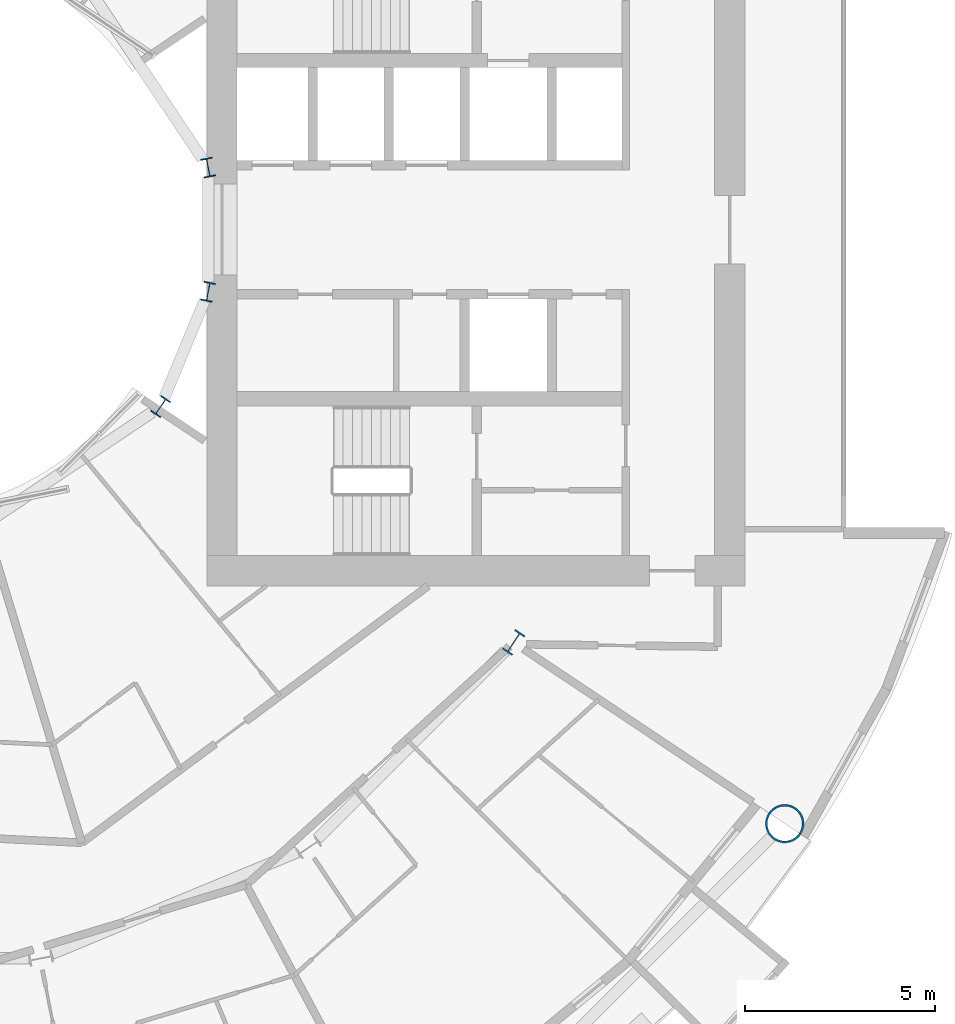
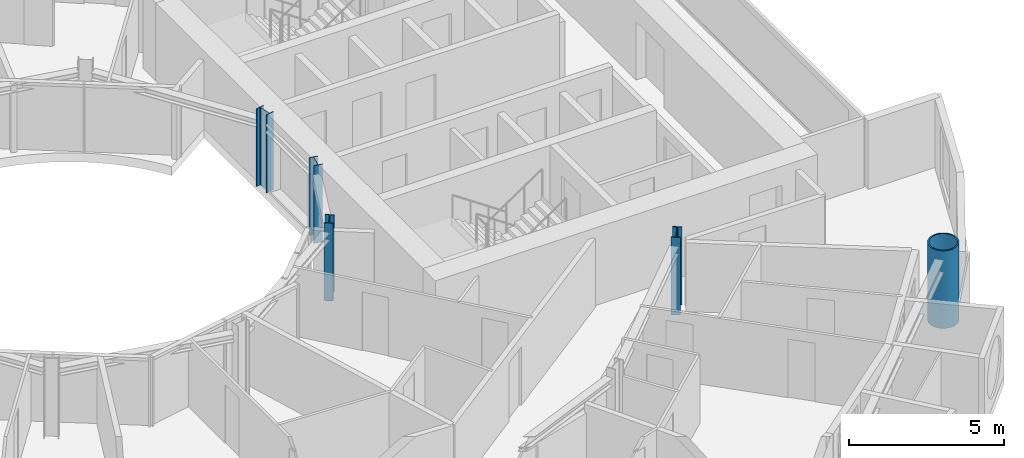
# One storey, part 2 of 26: 5 columns.
"""IFC4 building model written with IfcOpenShell, lengths in metres."""

from ifc_helpers import new_model, si_unit, direction, frame, origin, origin_2d, place, context, subcontext, project, spatial, hollow_circle, i_section, extrude, material, material_profile, profile_set, type_object, element, save


model = new_model("IFC4")

# Units and contexts
model_context = context("Model", 3, precision=1e-05, world=origin(), true_north=direction((0.0, 1.0)))
body_context = subcontext(model_context, "Body", "Model", "MODEL_VIEW")
ifc_project = project(units=[si_unit("LENGTHUNIT", "METRE"), si_unit("AREAUNIT", "SQUARE_METRE"), si_unit("VOLUMEUNIT", "CUBIC_METRE"), si_unit("PLANEANGLEUNIT", "RADIAN"), si_unit("MASSUNIT", "GRAM", prefix="KILO")], contexts=[model_context])

# Site, building, storey
site_placement = place(None, origin())
site = spatial("IfcSite", under=ifc_project, at=site_placement, CompositionType="ELEMENT")
building_placement = place(site_placement, origin())
building = spatial("IfcBuilding", under=site, at=building_placement, Name="Maasbend Ring Residences", CompositionType="ELEMENT")
storey_placement = place(building_placement, frame((0.0, 0.0, 44.14990234375)))
storey = spatial("IfcBuildingStorey", under=building, at=storey_placement, Name="L12", CompositionType="ELEMENT", Elevation=44.14990234375)

# Columns
ifc_material_1 = material(Name="Composite concrete-filled steel tube S460NH / C80/95", Category="concrete")
ifc_material_profile_1 = material_profile(ifc_material_1, hollow_circle(Radius=0.508056640625, WallThickness=0.050048828125, at=origin_2d()), Name="Composite tube column CHS 1016x50")
ifc_profile_set_1 = profile_set([ifc_material_profile_1], Name="Composite concrete-filled steel tube S460NH / C80/95")
column_type_1 = type_object("IfcColumnType", Name="Composite tube column CHS 1016x50", PredefinedType="COLUMN", material=ifc_profile_set_1)
column_1_placement = place(storey_placement, frame((23.447509765625, -15.6669921875, 0.0), z_axis=(0.0, 0.0, 1.0), x_axis=(1.0, 0.0, 0.0)))
element("IfcColumn", 1, at=column_1_placement, inside=storey, type_object=column_type_1, Name="Outer column R15", PredefinedType="COLUMN", context=body_context, shape_type="SweptSolid", body=[
    extrude(hollow_circle(Radius=0.508056640625, WallThickness=0.050048828125, at=origin_2d()), origin(), (0.0, 0.0, 1.0), 3.050048828125),
])
ifc_material_2 = material(Name="Steel S355J2", Category="steel")
ifc_material_profile_2 = material_profile(ifc_material_2, i_section(OverallWidth=0.300048828125, OverallDepth=0.5, WebThickness=0.014404296875, FlangeThickness=0.028076171875, FilletRadius=0.027099609375, at=origin_2d()), Name="HEB 500")
ifc_profile_set_2 = profile_set([ifc_material_profile_2], Name="Steel S355J2")
column_type_2 = type_object("IfcColumnType", Name="Steel column HEB 500", PredefinedType="COLUMN", material=ifc_profile_set_2)
for number, where, z_axis, x_axis, name in (
    (2, (8.238525390625, 1.638916015625, 0.0), (0.0, 0.0, 1.0), (0.980785280403, 0.195090322016, 0.0), "Well ring column R1"),
    (3, (6.984375, -4.666748046875, 0.0), (0.0, 0.0, 1.0), (0.831469612303, -0.55557023302, 0.0), "Well ring column R15"),
    (4, (8.238525390625, -1.638916015625, 0.0), (0.0, 0.0, 1.0), (0.980785280403, -0.195090322016, 0.0), "Well ring column R16"),
):
    element("IfcColumn", number, at=place(storey_placement, frame(where, z_axis=z_axis, x_axis=x_axis)), inside=storey, type_object=column_type_2, Name=name, PredefinedType="COLUMN", context=body_context, shape_type="SweptSolid", body=[
        extrude(i_section(OverallWidth=0.300048828125, OverallDepth=0.5, WebThickness=0.014404296875, FlangeThickness=0.028076171875, FilletRadius=0.027099609375, at=origin_2d()), origin(), (0.0, 0.0, 1.0), 3.050048828125),
    ])
ifc_material_3 = material(Name="Steel S460M", Category="steel")
ifc_material_profile_3 = material_profile(ifc_material_3, i_section(OverallWidth=0.304931640625, OverallDepth=0.6201171875, WebThickness=0.02099609375, FlangeThickness=0.0400390625, FilletRadius=0.027099609375, at=origin_2d()), Name="HEM 600")
ifc_profile_set_3 = profile_set([ifc_material_profile_3], Name="Steel S460M")
column_type_3 = type_object("IfcColumnType", Name="Steel column HEM 600", PredefinedType="COLUMN", material=ifc_profile_set_3)
column_2_placement = place(storey_placement, frame((16.296875, -10.88916015625, 0.0), z_axis=(0.0, 0.0, 1.0), x_axis=(0.831469612303, -0.55557023302, 0.0)))
element("IfcColumn", 5, at=column_2_placement, inside=storey, type_object=column_type_3, Name="Corridor ring column R15", PredefinedType="COLUMN", context=body_context, shape_type="SweptSolid", body=[
    extrude(i_section(OverallWidth=0.304931640625, OverallDepth=0.6201171875, WebThickness=0.02099609375, FlangeThickness=0.0400390625, FilletRadius=0.027099609375, at=origin_2d()), origin(), (0.0, 0.0, 1.0), 3.050048828125),
])

save(model, "model.ifc")
